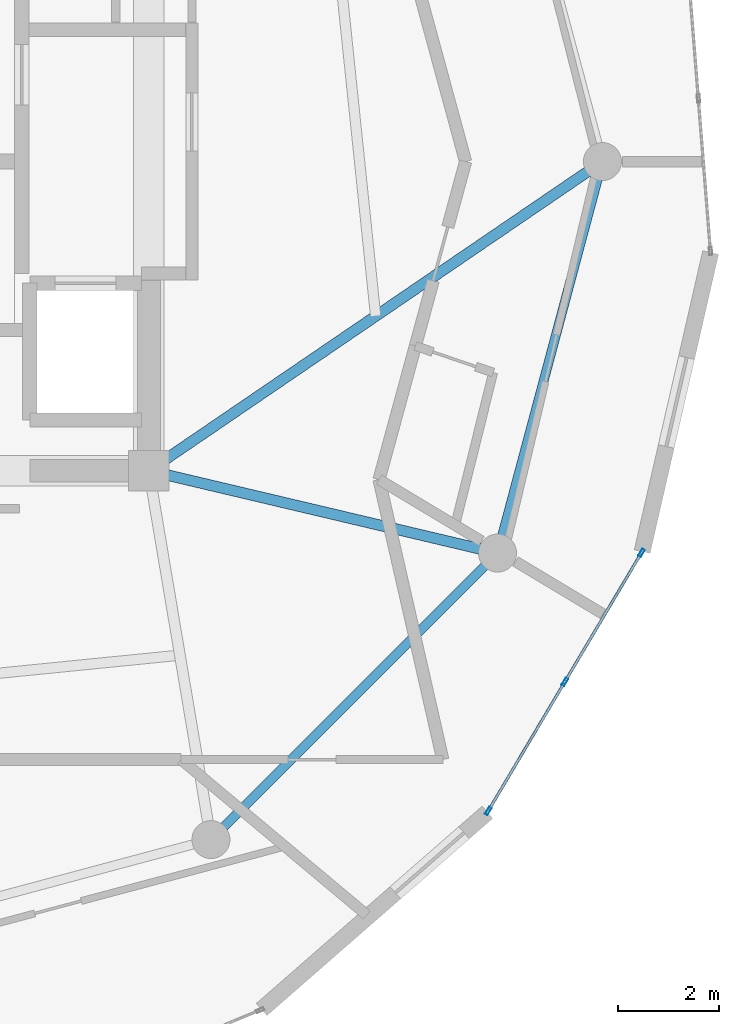
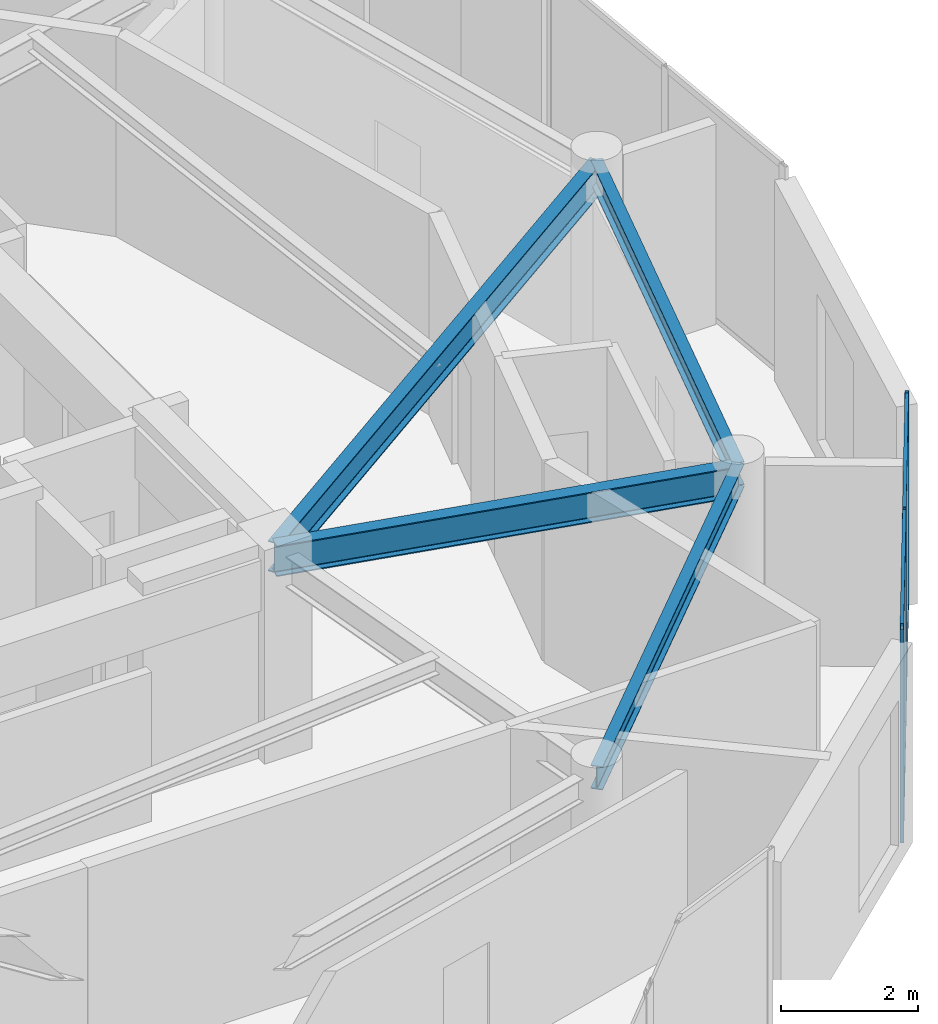
# One storey, part 6 of 17: 7 members, 4 beams, 1 element without a shape of its own.
"""IFC4 building model written with IfcOpenShell, lengths in metres."""

import ifcopenshell
import ifcopenshell.guid

model = None  # the IFC model being written
_history = None  # IfcOwnerHistory: only IFC2X3 demands one
_inside = {}  # id of a spatial element -> (the spatial element, [elements in it])
_under = {}  # id of a project, library or spatial element -> (it, [spatial elements below it])
_declared = {}  # id of a project -> (the project, [libraries it declares])
_typed = {}  # id of a type object -> (the type object, [elements of that type])
_made_of = {}  # id of a material, layer set ... -> (it, [elements and type objects made of it])


def new_model(schema):
    """Start an empty IFC model of exactly this schema.

    Asked for "IFC4X3", IfcOpenShell would pick the latest addendum, in which some entities
    have other attributes; the version numbers below select the first issue.
    IFC2X3 requires an IfcOwnerHistory on every rooted entity: one is made here for all.
    """
    global model, _history
    if schema == "IFC4X3":
        model = ifcopenshell.file(schema_version=(4, 3, 0, 0))
    else:
        model = ifcopenshell.file(schema=schema)
    _inside.clear()
    _under.clear()
    _declared.clear()
    _typed.clear()
    _made_of.clear()
    _history = None
    if model.schema == "IFC2X3":
        org = make("IfcOrganization", Name="unknown")
        user = make(
            "IfcPersonAndOrganization",
            ThePerson=make("IfcPerson", FamilyName="unknown"),
            TheOrganization=org,
        )
        app = make(
            "IfcApplication",
            ApplicationDeveloper=org,
            Version="unknown",
            ApplicationFullName="unknown",
            ApplicationIdentifier="unknown",
        )
        _history = make(
            "IfcOwnerHistory",
            OwningUser=user,
            OwningApplication=app,
            ChangeAction="ADDED",
            CreationDate=0,
        )
    return model


def make(cls, **values):
    """One entity of the class cls with the attributes given. An attribute that is None is left unset."""
    return model.create_entity(
        cls, **{name: value for name, value in values.items() if value is not None}
    )


def rooted(cls, **values):
    """An entity with a GlobalId (a new one), such as an element, a storey or a relation."""
    return make(cls, GlobalId=ifcopenshell.guid.new(), OwnerHistory=_history, **values)


def si_unit(unit_type, name, prefix=None):
    """IfcSIUnit, for example si_unit("LENGTHUNIT", "METRE", prefix="MILLI")."""
    return make("IfcSIUnit", UnitType=unit_type, Prefix=prefix, Name=name)


def assignment(units):
    """IfcUnitAssignment: the units of a project."""
    return None if units is None else make("IfcUnitAssignment", Units=units)


def point(xyz):
    """IfcCartesianPoint."""
    return None if xyz is None else make("IfcCartesianPoint", Coordinates=xyz)


def direction(xyz):
    """IfcDirection."""
    return None if xyz is None else make("IfcDirection", DirectionRatios=xyz)


def frame(location, z_axis=None, x_axis=None):
    """IfcAxis2Placement3D, a coordinate frame: its origin and axes. An axis left out is left unset."""
    return make(
        "IfcAxis2Placement3D",
        Location=point(location),
        Axis=direction(z_axis),
        RefDirection=direction(x_axis),
    )


def frame_2d(location, x_axis=None):
    """IfcAxis2Placement2D, a coordinate frame in the plane: its origin and x axis."""
    return make(
        "IfcAxis2Placement2D", Location=point(location), RefDirection=direction(x_axis)
    )


def origin():
    """The frame at (0, 0, 0) with its axes left unset."""
    return frame((0.0, 0.0, 0.0))


def origin_2d():
    """The frame at (0, 0) in the plane with its x axis left unset."""
    return frame_2d((0.0, 0.0))


def place(relative_to, where):
    """IfcLocalPlacement: puts the frame where relative to a parent placement (None: the world)."""
    return make(
        "IfcLocalPlacement", PlacementRelTo=relative_to, RelativePlacement=where
    )


def context(
    kind, dimensions, precision=None, world=None, true_north=None, identifier=None
):
    """IfcGeometricRepresentationContext, for example the 3D "Model" context."""
    return make(
        "IfcGeometricRepresentationContext",
        ContextIdentifier=identifier,
        ContextType=kind,
        CoordinateSpaceDimension=dimensions,
        Precision=precision,
        WorldCoordinateSystem=world,
        TrueNorth=true_north,
    )


def subcontext(parent, identifier, kind, view, scale=None):
    """IfcGeometricRepresentationSubContext, for example "Body" below "Model"."""
    return make(
        "IfcGeometricRepresentationSubContext",
        ContextIdentifier=identifier,
        ContextType=kind,
        ParentContext=parent,
        TargetScale=scale,
        TargetView=view,
    )


def project(units=None, contexts=None):
    """IfcProject with its units and contexts."""
    return rooted(
        "IfcProject",
        Name="project",
        RepresentationContexts=contexts,
        UnitsInContext=assignment(units),
    )


def spatial(cls, under=None, at=None, **own):
    """A site, building, storey or space (cls), placed at a placement, below another one or the project."""
    s = rooted(cls, ObjectPlacement=at, **own)
    if under is not None:
        _under.setdefault(under.id(), (under, []))[1].append(s)
    return s


def profile(cls, at=None, kind="AREA", **sizes):
    """A parametric profile (cls). Its sizes go by their IFC names, for example OverallWidth=200.0."""
    return make(cls, ProfileType=kind, Position=at, **sizes)


def hollow_rectangle(**sizes):
    """IfcRectangleHollowProfileDef."""
    return profile("IfcRectangleHollowProfileDef", **sizes)


def i_section(**sizes):
    """IfcIShapeProfileDef."""
    return profile("IfcIShapeProfileDef", **sizes)


def extrude(swept, where, along, depth):
    """IfcExtrudedAreaSolid: the profile swept, set in the frame where, extruded along a direction by depth."""
    return make(
        "IfcExtrudedAreaSolid",
        SweptArea=swept,
        Position=where,
        ExtrudedDirection=direction(along),
        Depth=depth,
    )


def shape(context_of_items, identifier, shape_type, items):
    """IfcShapeRepresentation: the items that make up one representation, for example the "Body"."""
    return make(
        "IfcShapeRepresentation",
        ContextOfItems=context_of_items,
        RepresentationIdentifier=identifier,
        RepresentationType=shape_type,
        Items=items,
    )


def source(mapping_origin, context_of_items, identifier, shape_type, items):
    """IfcRepresentationMap: a shape defined once, which mapped items show again and again."""
    return make(
        "IfcRepresentationMap",
        MappingOrigin=mapping_origin,
        MappedRepresentation=shape(context_of_items, identifier, shape_type, items),
    )


def transform(
    local_origin,
    x_axis=None,
    y_axis=None,
    z_axis=None,
    scale=None,
    scale2=None,
    scale3=None,
    uniform=True,
):
    """IfcCartesianTransformationOperator3D, or its non-uniform kind. x_axis, y_axis, z_axis: its Axis1, 2, 3."""
    if uniform:
        return make(
            "IfcCartesianTransformationOperator3D",
            Axis1=direction(x_axis),
            Axis2=direction(y_axis),
            LocalOrigin=point(local_origin),
            Scale=scale,
            Axis3=direction(z_axis),
        )
    return make(
        "IfcCartesianTransformationOperator3DnonUniform",
        Axis1=direction(x_axis),
        Axis2=direction(y_axis),
        LocalOrigin=point(local_origin),
        Scale=scale,
        Axis3=direction(z_axis),
        Scale2=scale2,
        Scale3=scale3,
    )


def mapped(mapping_source, mapping_target):
    """IfcMappedItem: shows the shape of a source again, moved by a transform."""
    return make(
        "IfcMappedItem", MappingSource=mapping_source, MappingTarget=mapping_target
    )


def material(Name=None, Category=None):
    """IfcMaterial."""
    return make("IfcMaterial", Name=Name, Category=Category)


def layer(
    of_material, thickness, ventilated=None, Name=None, Category=None, Priority=None
):
    """IfcMaterialLayer: one layer of a wall or slab, of a material (None: an air gap)."""
    return make(
        "IfcMaterialLayer",
        Material=of_material,
        LayerThickness=thickness,
        IsVentilated=ventilated,
        Name=Name,
        Category=Category,
        Priority=Priority,
    )


def layer_set(layers, Name=None):
    """IfcMaterialLayerSet."""
    return make("IfcMaterialLayerSet", MaterialLayers=layers, LayerSetName=Name)


def material_profile(
    of_material, cross_section, Name=None, Category=None, Priority=None
):
    """IfcMaterialProfile: a cross section and its material."""
    return make(
        "IfcMaterialProfile",
        Name=Name,
        Material=of_material,
        Profile=cross_section,
        Priority=Priority,
        Category=Category,
    )


def profile_set(profiles, Name=None, composite=None):
    """IfcMaterialProfileSet."""
    return make(
        "IfcMaterialProfileSet",
        Name=Name,
        MaterialProfiles=profiles,
        CompositeProfile=composite,
    )


def made_of(thing, what):
    """Note that an element or type object is made of a material, layer set ...; save() writes the relation."""
    if what is not None:
        _made_of.setdefault(what.id(), (what, []))[1].append(thing)
    return thing


def type_object(cls, material=None, **own):
    """A type object (cls), such as IfcWallType, which elements share."""
    return made_of(rooted(cls, **own), material)


def element(
    cls,
    number,
    at=None,
    inside=None,
    cuts=None,
    type_object=None,
    material=None,
    context=None,
    identifier="Body",
    shape_type=None,
    held_by="IfcProductDefinitionShape",
    body=None,
    shapes=None,
    **own,
):
    """One element of the class cls, such as IfcWall. Its Tag is "e" and its number.

    at: its placement. inside: the storey or other place that contains it. cuts: it is an
    opening in that element (IfcRelVoidsElement). A single representation is given by context,
    identifier, shape_type and body (its items); several are given by shapes. held_by: the class
    of the entity that holds the representations. save() writes the other relations.
    """
    e = rooted(cls, Tag="e%d" % number, ObjectPlacement=at, **own)
    if body is not None:
        shapes = [shape(context, identifier, shape_type, body)]
    if shapes is not None:
        e.Representation = make(held_by, Representations=shapes)
    if inside is not None:
        _inside.setdefault(inside.id(), (inside, []))[1].append(e)
    if cuts is not None:
        rooted(
            "IfcRelVoidsElement", RelatingBuildingElement=cuts, RelatedOpeningElement=e
        )
    if type_object is not None:
        _typed.setdefault(type_object.id(), (type_object, []))[1].append(e)
    return made_of(e, material)


def aggregate(whole, parts):
    """IfcRelAggregates: a whole, such as a stair, and the parts it consists of."""
    return rooted("IfcRelAggregates", RelatingObject=whole, RelatedObjects=parts)


def save(model, path):
    """Write the relations noted so far, then the file.

    IfcRelAggregates (storeys below a building ...), IfcRelContainedInSpatialStructure (elements
    in a storey), IfcRelDefinesByType, IfcRelAssociatesMaterial and IfcRelDeclares: one each for
    every whole, place, type object, material and project.
    """
    for whole, parts in _under.values():
        aggregate(whole, parts)
    for where, things in _inside.values():
        rooted(
            "IfcRelContainedInSpatialStructure",
            RelatedElements=things,
            RelatingStructure=where,
        )
    for kind, things in _typed.values():
        rooted("IfcRelDefinesByType", RelatedObjects=things, RelatingType=kind)
    for what, things in _made_of.values():
        rooted("IfcRelAssociatesMaterial", RelatedObjects=things, RelatingMaterial=what)
    for by, libraries in _declared.values():
        rooted("IfcRelDeclares", RelatingContext=by, RelatedDefinitions=libraries)
    model.write(path)


model = new_model("IFC4")

# Units and contexts
model_context = context("Model", 3, precision=1e-05, world=origin(), true_north=direction((0.0, 1.0)))
body_context = subcontext(model_context, "Body", "Model", "MODEL_VIEW")
ifc_project = project(units=[si_unit("LENGTHUNIT", "METRE"), si_unit("AREAUNIT", "SQUARE_METRE"), si_unit("VOLUMEUNIT", "CUBIC_METRE"), si_unit("PLANEANGLEUNIT", "RADIAN"), si_unit("MASSUNIT", "GRAM", prefix="KILO")], contexts=[model_context])

# Site, building, storey
site_placement = place(None, origin())
site = spatial("IfcSite", under=ifc_project, at=site_placement, CompositionType="ELEMENT")
building_placement = place(site_placement, origin())
building = spatial("IfcBuilding", under=site, at=building_placement, Name="Solvirekh Grand Hotel", CompositionType="ELEMENT")
storey_placement = place(building_placement, frame((0.0, 0.0, 246.800048828125)))
storey = spatial("IfcBuildingStorey", under=building, at=storey_placement, Name="L64", CompositionType="ELEMENT", Elevation=246.800048828125)

# Beams
ifc_material_1 = material(Name="Steel S355", Category="steel")
ifc_material_profile_1 = material_profile(ifc_material_1, i_section(OverallWidth=0.2119140625, OverallDepth=0.5439453125, WebThickness=0.011962890625, FlangeThickness=0.01904296875, FilletRadius=0.013916015625, at=origin_2d()), Name="W530X123")
ifc_profile_set_1 = profile_set([ifc_material_profile_1], Name="Steel S355")
beam_type_1 = type_object("IfcBeamType", Name="Beam_Radial_W530H", PredefinedType="BEAM", material=ifc_profile_set_1)
beam_1_placement = place(storey_placement, frame((6.5, -6.10009765625, 3.2978515625), z_axis=(0.826319370306, 0.563201827285, 0.0), x_axis=(-0.563201827285, 0.826319370306, 0.0)))
element("IfcBeam", 1, at=beam_1_placement, inside=storey, type_object=beam_type_1, Name="L64 radial floor beam R01", PredefinedType="BEAM", context=body_context, shape_type="SweptSolid", body=[
    extrude(i_section(OverallWidth=0.2119140625, OverallDepth=0.5439453125, WebThickness=0.011962890625, FlangeThickness=0.01904296875, FilletRadius=0.013916015625, at=origin_2d()), origin(), (0.0, 0.0, 1.0), 10.8310546875),
])
beam_2_placement = place(storey_placement, frame((6.5, -6.10009765625, 3.2978515625), z_axis=(0.973221147544, -0.229870828888, 0.0), x_axis=(0.229870828888, 0.973221147544, 0.0)))
element("IfcBeam", 2, at=beam_2_placement, inside=storey, type_object=beam_type_1, Name="L64 radial floor beam R12", PredefinedType="BEAM", context=body_context, shape_type="SweptSolid", body=[
    extrude(i_section(OverallWidth=0.2119140625, OverallDepth=0.5439453125, WebThickness=0.011962890625, FlangeThickness=0.01904296875, FilletRadius=0.013916015625, at=origin_2d()), origin(), (0.0, 0.0, 1.0), 7.069091796875),
])
ifc_material_profile_2 = material_profile(ifc_material_1, i_section(OverallWidth=0.180908203125, OverallDepth=0.4169921875, WebThickness=0.010009765625, FlangeThickness=0.01611328125, FilletRadius=0.011962890625, at=origin_2d()), Name="W410X85")
ifc_profile_set_2 = profile_set([ifc_material_profile_2], Name="Steel S355")
beam_type_2 = type_object("IfcBeamType", Name="Spandrel_Ring_W410", PredefinedType="SPANDREL", material=ifc_profile_set_2)
beam_3_placement = place(storey_placement, frame((7.72509765625, -13.3798828125, 3.362060546875), z_axis=(0.707106781187, 0.707106781187, 0.0), x_axis=(-0.707106781187, 0.707106781187, 0.0)))
element("IfcBeam", 3, at=beam_3_placement, inside=storey, type_object=beam_type_2, Name="L64 perimeter spandrel beam 11", PredefinedType="SPANDREL", context=body_context, shape_type="SweptSolid", body=[
    extrude(i_section(OverallWidth=0.180908203125, OverallDepth=0.4169921875, WebThickness=0.010009765625, FlangeThickness=0.01611328125, FilletRadius=0.011962890625, at=origin_2d()), origin(), (0.0, 0.0, 1.0), 7.9970703125),
])
beam_4_placement = place(storey_placement, frame((13.3798828125, -7.72509765625, 3.362060546875), z_axis=(0.258834757072, 0.965921616143, 0.0), x_axis=(-0.965921616143, 0.258834757072, 0.0)))
element("IfcBeam", 4, at=beam_4_placement, inside=storey, type_object=beam_type_2, Name="L64 perimeter spandrel beam 12", PredefinedType="SPANDREL", context=body_context, shape_type="SweptSolid", body=[
    extrude(i_section(OverallWidth=0.180908203125, OverallDepth=0.4169921875, WebThickness=0.010009765625, FlangeThickness=0.01611328125, FilletRadius=0.011962890625, at=origin_2d()), origin(), (0.0, 0.0, 1.0), 7.99755859375),
])

# Curtain wall, members
ifc_material_2 = material(Name="Anodized Bronze Aluminium 6063-T6", Category="aluminium")
ifc_layer = layer(ifc_material_2, 0.159912109375)
ifc_layer_set = layer_set([ifc_layer], Name="Anodized Bronze Aluminium 6063-T6")
curtain_wall_type = type_object("IfcCurtainWallType", Name="CW_Sys4_HighZoneFlushBronzeCW", PredefinedType="NOTDEFINED", material=ifc_layer_set)
curtain_wall_placement = place(storey_placement, origin())
curtain_wall = element("IfcCurtainWall", 5, at=curtain_wall_placement, inside=storey, type_object=curtain_wall_type, Name="L64 unitised bronze-glass curtain wall CW-L64-C03", PredefinedType="NOTDEFINED")
ifc_material_profile_3 = material_profile(ifc_material_2, hollow_rectangle(XDim=0.06005859375, YDim=0.159912109375, WallThickness=0.0048828125, at=origin_2d()), Name="ALU RHS 160X60X5")
ifc_profile_set_3 = profile_set([ifc_material_profile_3], Name="Anodized Bronze Aluminium 6063-T6")
member_type_1 = type_object("IfcMemberType", Name="CWMullion_Sys4", PredefinedType="MULLION", material=ifc_profile_set_3)
shared_shape_1 = source(origin(), body_context, "Body", "SweptSolid", [
    extrude(hollow_rectangle(XDim=0.06005859375, YDim=0.159912109375, WallThickness=0.0048828125, at=origin_2d()), origin(), (0.0, 0.0, 1.0), 3.800048828125),
])
member_1_placement = place(storey_placement, frame((13.197265625, -12.816162109375, 0.0), z_axis=(0.0, 0.0, 1.0), x_axis=(-0.860003699356, 0.5102877983, 0.0)))
member_1 = element("IfcMember", 6, at=member_1_placement, type_object=member_type_1, Name="U04 mullion 1", PredefinedType="MULLION", context=body_context, shape_type="MappedRepresentation", body=[
    mapped(shared_shape_1, transform((0.0, 0.0, 0.0), x_axis=(1.0, 0.0, 0.0), y_axis=(0.0, 1.0, 0.0), z_axis=(0.0, 0.0, 1.0), scale=1.0)),
])
member_2_placement = place(storey_placement, frame((14.708984375, -10.2685546875, 0.0), z_axis=(0.0, 0.0, 1.0), x_axis=(-0.860003699356, 0.5102877983, 0.0)))
member_2 = element("IfcMember", 7, at=member_2_placement, type_object=member_type_1, Name="U04 mullion 2", PredefinedType="MULLION", context=body_context, shape_type="MappedRepresentation", body=[
    mapped(shared_shape_1, transform((0.0, 0.0, 0.0), x_axis=(1.0, 0.0, 0.0), y_axis=(0.0, 1.0, 0.0), z_axis=(0.0, 0.0, 1.0), scale=1.0)),
])
member_3_placement = place(storey_placement, frame((16.220703125, -7.720703125, 0.0), z_axis=(0.0, 0.0, 1.0), x_axis=(-0.860003699356, 0.5102877983, 0.0)))
member_3 = element("IfcMember", 8, at=member_3_placement, type_object=member_type_1, Name="U04 mullion 3", PredefinedType="MULLION", context=body_context, shape_type="MappedRepresentation", body=[
    mapped(shared_shape_1, transform((0.0, 0.0, 0.0), x_axis=(1.0, 0.0, 0.0), y_axis=(0.0, 1.0, 0.0), z_axis=(0.0, 0.0, 1.0), scale=1.0)),
])
ifc_material_profile_4 = material_profile(ifc_material_2, hollow_rectangle(XDim=0.054931640625, YDim=0.1201171875, WallThickness=0.00390625, at=origin_2d()), Name="ALU RHS 120X55X4")
ifc_profile_set_4 = profile_set([ifc_material_profile_4], Name="Anodized Bronze Aluminium 6063-T6")
member_type_2 = type_object("IfcMemberType", Name="CWTransom_Sys4", PredefinedType="USERDEFINED", material=ifc_profile_set_4)
shared_shape_2 = source(origin(), body_context, "Body", "SweptSolid", [
    extrude(hollow_rectangle(XDim=0.054931640625, YDim=0.1201171875, WallThickness=0.00390625, at=origin_2d()), origin(), (0.0, 0.0, 1.0), 2.90234375),
])
member_4_placement = place(storey_placement, frame((13.212646484375, -12.790283203125, 0.02734375), z_axis=(0.510258860658, 0.860020869003, 0.0), x_axis=(-0.860020869003, 0.510258860658, 0.0)))
member_4 = element("IfcMember", 9, at=member_4_placement, type_object=member_type_2, Name="U04 transom 1.1", ObjectType="TRANSOM", PredefinedType="USERDEFINED", context=body_context, shape_type="MappedRepresentation", body=[
    mapped(shared_shape_2, transform((0.0, 0.0, 0.0), x_axis=(1.0, 0.0, 0.0), y_axis=(0.0, 1.0, 0.0), z_axis=(0.0, 0.0, 1.0), scale=1.0)),
])
member_5_placement = place(storey_placement, frame((13.212646484375, -12.790283203125, 3.7724609375), z_axis=(0.510258860658, 0.860020869003, 0.0), x_axis=(-0.860020869003, 0.510258860658, 0.0)))
member_5 = element("IfcMember", 10, at=member_5_placement, type_object=member_type_2, Name="U04 transom 1.2", ObjectType="TRANSOM", PredefinedType="USERDEFINED", context=body_context, shape_type="MappedRepresentation", body=[
    mapped(shared_shape_2, transform((0.0, 0.0, 0.0), x_axis=(1.0, 0.0, 0.0), y_axis=(0.0, 1.0, 0.0), z_axis=(0.0, 0.0, 1.0), scale=1.0)),
])
member_6_placement = place(storey_placement, frame((14.724365234375, -10.24267578125, 0.02734375), z_axis=(0.510258860658, 0.860020869003, 0.0), x_axis=(-0.860020869003, 0.510258860658, 0.0)))
member_6 = element("IfcMember", 11, at=member_6_placement, type_object=member_type_2, Name="U04 transom 2.1", ObjectType="TRANSOM", PredefinedType="USERDEFINED", context=body_context, shape_type="MappedRepresentation", body=[
    mapped(shared_shape_2, transform((0.0, 0.0, 0.0), x_axis=(1.0, 0.0, 0.0), y_axis=(0.0, 1.0, 0.0), z_axis=(0.0, 0.0, 1.0), scale=1.0)),
])
member_7_placement = place(storey_placement, frame((14.724365234375, -10.24267578125, 3.7724609375), z_axis=(0.510258860658, 0.860020869003, 0.0), x_axis=(-0.860020869003, 0.510258860658, 0.0)))
member_7 = element("IfcMember", 12, at=member_7_placement, type_object=member_type_2, Name="U04 transom 2.2", ObjectType="TRANSOM", PredefinedType="USERDEFINED", context=body_context, shape_type="MappedRepresentation", body=[
    mapped(shared_shape_2, transform((0.0, 0.0, 0.0), x_axis=(1.0, 0.0, 0.0), y_axis=(0.0, 1.0, 0.0), z_axis=(0.0, 0.0, 1.0), scale=1.0)),
])
aggregate(curtain_wall, [member_1, member_2, member_3, member_4, member_5, member_6, member_7])

save(model, "model.ifc")
